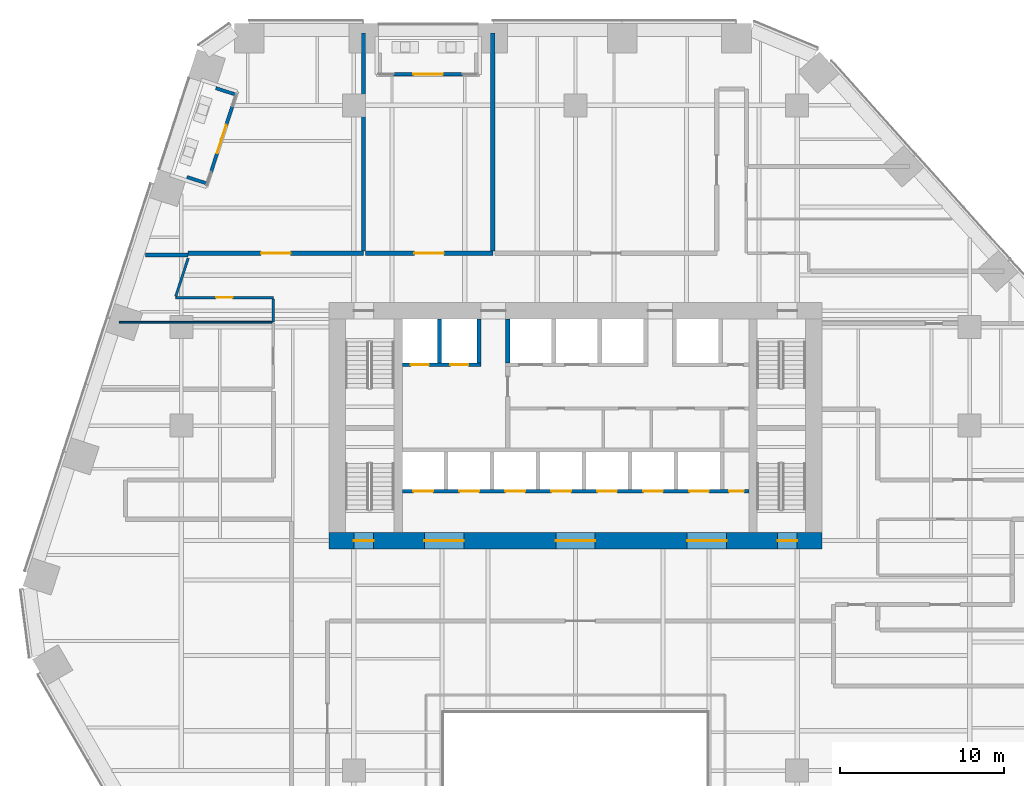
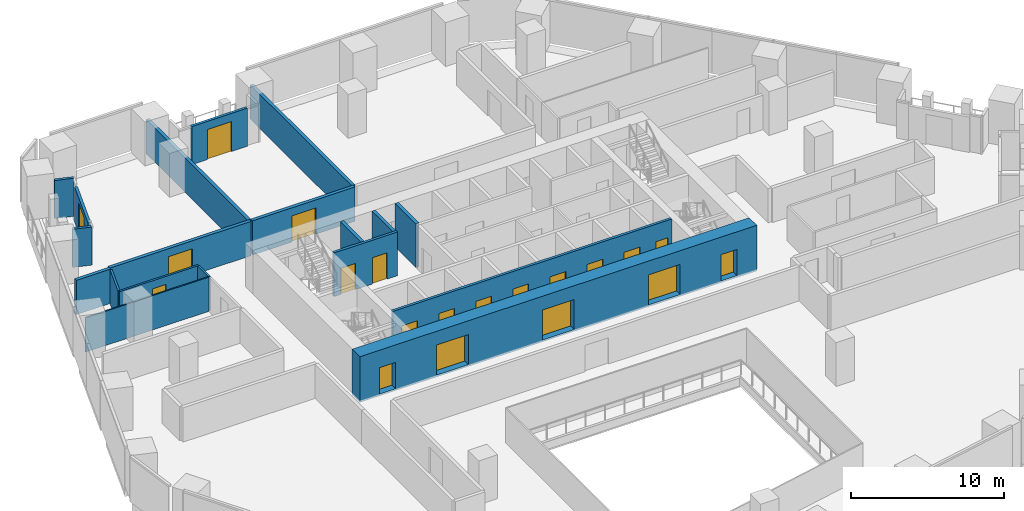
# One storey, part 21 of 28: 20 doors, 19 walls, 20 openings.
"""IFC4 building model written with IfcOpenShell, lengths in metres."""

from ifc_helpers import new_model, si_unit, direction, frame, frame_2d, origin, place, context, subcontext, project, spatial, rectangle, extrude, material, layer, layer_set, type_object, element, fill, save


model = new_model("IFC4")

# Units and contexts
model_context = context("Model", 3, precision=1e-05, world=origin(), true_north=direction((0.0, 1.0)))
body_context = subcontext(model_context, "Body", "Model", "MODEL_VIEW")
ifc_project = project(units=[si_unit("LENGTHUNIT", "METRE"), si_unit("AREAUNIT", "SQUARE_METRE"), si_unit("VOLUMEUNIT", "CUBIC_METRE"), si_unit("PLANEANGLEUNIT", "RADIAN"), si_unit("MASSUNIT", "GRAM", prefix="KILO")], contexts=[model_context])

# Site, building, storey
site_placement = place(None, origin())
site = spatial("IfcSite", under=ifc_project, at=site_placement, CompositionType="ELEMENT")
building_placement = place(site_placement, origin())
building = spatial("IfcBuilding", under=site, at=building_placement, Name="Isthmus Gate Tower", CompositionType="ELEMENT")
storey_placement = place(building_placement, frame((0.0, 0.0, 68.85009765625)))
storey = spatial("IfcBuildingStorey", under=building, at=storey_placement, Name="L15", CompositionType="ELEMENT", Elevation=68.85009765625)

# Wall, opening, door
ifc_material_1 = material(Name="Double-leaf acoustic stud wall, fire-rated", Category="gypsum")
ifc_layer_1 = layer(ifc_material_1, 0.25)
ifc_layer_set_1 = layer_set([ifc_layer_1], Name="ACOUSTIC WALL 250 60 MIN")
wall_type_1 = type_object("IfcWallType", Name="ACOUSTIC WALL 250 60 MIN", PredefinedType="PARTITIONING", material=ifc_layer_set_1)
wall_1_placement = place(storey_placement, frame((-23.5849609375, 18.0, 0.0), z_axis=(0.0, 0.0, 1.0), x_axis=(1.0, 0.0, 0.0)))
wall_1 = element("IfcWall", 1, at=wall_1_placement, inside=storey, type_object=wall_type_1, Name="L15 Acoustic Wall 250 60 Min", PredefinedType="PARTITIONING", context=body_context, shape_type="SweptSolid", body=[
    extrude(rectangle(XDim=10.677978515625, YDim=0.25, at=frame_2d((5.3388671875, 0.0))), origin(), (0.0, 0.0, 1.0), 2.7412109375),
])
opening_1_placement = place(wall_1_placement, frame((4.43896484375, 0.0, 0.0)))
opening_1 = element("IfcOpeningElement", 2, at=opening_1_placement, cuts=wall_1, Name="Opening DT-T1D-01", PredefinedType="OPENING", context=body_context, shape_type="SweptSolid", body=[
    extrude(rectangle(XDim=1.800048828125, YDim=2.10009765625, at=frame_2d((0.89990234375, 1.050048828125))), frame((0.0, 0.135009765625, 0.0), z_axis=(0.0, -1.0, 0.0), x_axis=(1.0, 0.0, 0.0)), (0.0, 0.0, 1.0), 0.27001953125),
])
ifc_material_2 = material(Name="Solid core timber door leaf, fire-rated", Category="wood")
door_type_1 = type_object("IfcDoorType", Name="FIRE DOOR ACOUSTIC ROOM 1800 X 2100 60 MIN", OperationType="DOUBLE_DOOR_DOUBLE_SWING", PredefinedType="DOOR", material=ifc_material_2)
door_1_placement = place(opening_1_placement, origin())
door_1 = element("IfcDoor", 3, at=door_1_placement, inside=storey, type_object=door_type_1, Name="L15 room door", OperationType="DOUBLE_DOOR_DOUBLE_SWING", OverallHeight=2.10009765625, OverallWidth=1.800048828125, PredefinedType="DOOR", context=body_context, shape_type="SweptSolid", body=[
    extrude(rectangle(XDim=1.800048828125, YDim=2.10009765625, at=frame_2d((0.89990234375, 1.050048828125))), frame((0.0, 0.02490234375, 0.0), z_axis=(0.0, -1.0, 0.0), x_axis=(1.0, 0.0, 0.0)), (0.0, 0.0, 1.0), 0.050048828125),
])
fill(opening_1, door_1)

# Walls
wall_2_placement = place(storey_placement, frame((-12.906982421875, 18.125, 0.0), z_axis=(0.0, 0.0, 1.0), x_axis=(0.0, 1.0, 0.0)))
element("IfcWall", 4, at=wall_2_placement, inside=storey, type_object=wall_type_1, Name="L15 Acoustic Wall 250 60 Min", PredefinedType="PARTITIONING", context=body_context, shape_type="SweptSolid", body=[
    extrude(rectangle(XDim=13.27490234375, YDim=0.25, at=frame_2d((6.637451171875, 0.0))), origin(), (0.0, 0.0, 1.0), 2.7412109375),
])
wall_3_placement = place(storey_placement, frame((-26.169921875, 17.883056640625, 0.0), z_axis=(0.0, 0.0, 1.0), x_axis=(1.0, 0.0, 0.0)))
element("IfcWall", 5, at=wall_3_placement, inside=storey, type_object=wall_type_1, Name="L15 Acoustic Wall 250 60 Min", PredefinedType="PARTITIONING", context=body_context, shape_type="SweptSolid", body=[
    extrude(rectangle(XDim=2.5830078125, YDim=0.25, at=frame_2d((1.29150390625, 0.0))), origin(), (0.0, 0.0, 1.0), 2.7412109375),
])

# Wall, opening, door
wall_4_placement = place(storey_placement, frame((-12.781982421875, 18.0, 0.0), z_axis=(0.0, 0.0, 1.0), x_axis=(1.0, 0.0, 0.0)))
wall_4 = element("IfcWall", 6, at=wall_4_placement, inside=storey, type_object=wall_type_1, Name="L15 Acoustic Wall 250 60 Min", PredefinedType="PARTITIONING", context=body_context, shape_type="SweptSolid", body=[
    extrude(rectangle(XDim=7.744873046875, YDim=0.25, at=frame_2d((3.87255859375, 0.0))), origin(), (0.0, 0.0, 1.0), 2.7412109375),
])
opening_2_placement = place(wall_4_placement, frame((2.972412109375, 0.0, 0.0)))
opening_2 = element("IfcOpeningElement", 7, at=opening_2_placement, cuts=wall_4, Name="Opening DT-T1D-02", PredefinedType="OPENING", context=body_context, shape_type="SweptSolid", body=[
    extrude(rectangle(XDim=1.800048828125, YDim=2.10009765625, at=frame_2d((0.89990234375, 1.050048828125))), frame((0.0, 0.135009765625, 0.0), z_axis=(0.0, -1.0, 0.0), x_axis=(1.0, 0.0, 0.0)), (0.0, 0.0, 1.0), 0.27001953125),
])
door_2_placement = place(opening_2_placement, origin())
door_2 = element("IfcDoor", 8, at=door_2_placement, inside=storey, type_object=door_type_1, Name="L15 room door", OperationType="DOUBLE_DOOR_DOUBLE_SWING", OverallHeight=2.10009765625, OverallWidth=1.800048828125, PredefinedType="DOOR", context=body_context, shape_type="SweptSolid", body=[
    extrude(rectangle(XDim=1.800048828125, YDim=2.10009765625, at=frame_2d((0.89990234375, 1.050048828125))), frame((0.0, 0.02490234375, 0.0), z_axis=(0.0, -1.0, 0.0), x_axis=(1.0, 0.0, 0.0)), (0.0, 0.0, 1.0), 0.050048828125),
])
fill(opening_2, door_2)

# Wall
wall_5_placement = place(storey_placement, frame((-5.037109375, 18.125, 0.0), z_axis=(0.0, 0.0, 1.0), x_axis=(0.0, 1.0, 0.0)))
element("IfcWall", 9, at=wall_5_placement, inside=storey, type_object=wall_type_1, Name="L15 Acoustic Wall 250 60 Min", PredefinedType="PARTITIONING", context=body_context, shape_type="SweptSolid", body=[
    extrude(rectangle(XDim=13.27490234375, YDim=0.25, at=frame_2d((6.637451171875, 0.0))), origin(), (0.0, 0.0, 1.0), 2.7412109375),
])

# Wall, opening, door
ifc_material_3 = material(Name="Gypsum board on steel studs, fire-rated", Category="steel")
ifc_layer_2 = layer(ifc_material_3, 0.14990234375)
ifc_layer_set_2 = layer_set([ifc_layer_2], Name="CORRIDOR WALL 150 60 MIN")
wall_type_2 = type_object("IfcWallType", Name="CORRIDOR WALL 150 60 MIN", PredefinedType="PARTITIONING", material=ifc_layer_set_2)
wall_6_placement = place(storey_placement, frame((-18.39990234375, 15.300048828125, 0.0), z_axis=(0.0, 0.0, 1.0), x_axis=(-1.0, 0.0, 0.0)))
wall_6 = element("IfcWall", 10, at=wall_6_placement, inside=storey, type_object=wall_type_2, Name="L15 Corridor Wall 150 60 Min", PredefinedType="PARTITIONING", context=body_context, shape_type="SweptSolid", body=[
    extrude(rectangle(XDim=5.965087890625, YDim=0.14990234375, at=frame_2d((2.982421875, 0.0))), origin(), (0.0, 0.0, 1.0), 2.7412109375),
])
opening_3_placement = place(wall_6_placement, frame((2.482421875, 0.0, 0.0)))
opening_3 = element("IfcOpeningElement", 11, at=opening_3_placement, cuts=wall_6, Name="Opening DT-T1D-06", PredefinedType="OPENING", context=body_context, shape_type="SweptSolid", body=[
    extrude(rectangle(XDim=1.0, YDim=2.10009765625, at=frame_2d((0.5, 1.050048828125))), frame((0.0, 0.0849609375, 0.0), z_axis=(0.0, -1.0, 0.0), x_axis=(1.0, 0.0, 0.0)), (0.0, 0.0, 1.0), 0.169921875),
])
ifc_material_4 = material(Name="Solid core timber door leaf, fire-rated", Category="wood")
door_type_2 = type_object("IfcDoorType", Name="FIRE DOOR ROOM 1000 X 2100 60 MIN", OperationType="SINGLE_SWING_LEFT", PredefinedType="DOOR", material=ifc_material_4)
door_3_placement = place(opening_3_placement, origin())
door_3 = element("IfcDoor", 12, at=door_3_placement, inside=storey, type_object=door_type_2, Name="L15 room door", OperationType="SINGLE_SWING_RIGHT", OverallHeight=2.10009765625, OverallWidth=1.0, PredefinedType="DOOR", context=body_context, shape_type="SweptSolid", body=[
    extrude(rectangle(XDim=1.0, YDim=2.10009765625, at=frame_2d((0.5, 1.050048828125))), frame((0.0, 0.02490234375, 0.0), z_axis=(0.0, -1.0, 0.0), x_axis=(1.0, 0.0, 0.0)), (0.0, 0.0, 1.0), 0.050048828125),
])
fill(opening_3, door_3)

# Walls
wall_7_placement = place(storey_placement, frame((-24.341796875, 15.371337890625, 0.0), z_axis=(0.0, 0.0, 1.0), x_axis=(0.309099599888, 0.951029672171, 0.0)))
element("IfcWall", 13, at=wall_7_placement, inside=storey, type_object=wall_type_2, Name="L15 Corridor Wall 150 60 Min", PredefinedType="PARTITIONING", context=body_context, shape_type="SweptSolid", body=[
    extrude(rectangle(XDim=2.448486328125, YDim=0.14990234375, at=frame_2d((1.22412109375, 0.0))), origin(), (0.0, 0.0, 1.0), 2.7412109375),
])
wall_8_placement = place(storey_placement, frame((-18.39990234375, 13.799072265625, 0.0), z_axis=(0.0, 0.0, 1.0), x_axis=(0.0, 1.0, 0.0)))
element("IfcWall", 14, at=wall_8_placement, inside=storey, type_object=wall_type_2, Name="L15 Corridor Wall 150 60 Min", PredefinedType="PARTITIONING", context=body_context, shape_type="SweptSolid", body=[
    extrude(rectangle(XDim=1.426025390625, YDim=0.14990234375, at=frame_2d((0.712890625, 0.0))), origin(), (0.0, 0.0, 1.0), 2.7412109375),
])

# Wall, opening, door
ifc_material_5 = material(Name="Precast concrete C40/50", Category="concrete")
ifc_layer_3 = layer(ifc_material_5, 0.199951171875)
ifc_layer_set_3 = layer_set([ifc_layer_3], Name="LOGGIA WALL 200")
wall_type_3 = type_object("IfcWallType", Name="LOGGIA WALL 200", PredefinedType="SOLIDWALL", material=ifc_layer_set_3)
wall_9_placement = place(storey_placement, frame((-6.8720703125, 28.89990234375, 0.0), z_axis=(0.0, 0.0, 1.0), x_axis=(-1.0, 0.0, 0.0)))
wall_9 = element("IfcWall", 15, at=wall_9_placement, inside=storey, type_object=wall_type_3, Name="LOGGIA BACK WALL", PredefinedType="SOLIDWALL", context=body_context, shape_type="SweptSolid", body=[
    extrude(rectangle(XDim=4.199951171875, YDim=0.199951171875, at=frame_2d((2.10009765625, 0.0))), origin(), (0.0, 0.0, 1.0), 3.0498046875),
])
opening_4_placement = place(wall_9_placement, frame((1.199951171875, 0.0, 0.0)))
opening_4 = element("IfcOpeningElement", 16, at=opening_4_placement, cuts=wall_9, Name="Opening DE15-01", PredefinedType="OPENING", context=body_context, shape_type="SweptSolid", body=[
    extrude(rectangle(XDim=1.800048828125, YDim=2.39990234375, at=frame_2d((0.89990234375, 1.199951171875))), frame((0.0, 0.10986328125, 0.0), z_axis=(0.0, -1.0, 0.0), x_axis=(1.0, 0.0, 0.0)), (0.0, 0.0, 1.0), 0.219970703125),
])
ifc_material_6 = material(Name="Aluminium, pale champagne anodised, laminated glass", Category="aluminium")
door_type_3 = type_object("IfcDoorType", Name="LOGGIA DOOR SLIDING 1800 X 2400", OperationType="DOUBLE_DOOR_SLIDING", PredefinedType="DOOR", material=ifc_material_6)
door_4_placement = place(opening_4_placement, origin())
door_4 = element("IfcDoor", 17, at=door_4_placement, inside=storey, type_object=door_type_3, Name="DOOR DE15-01", OperationType="SINGLE_SWING_LEFT", OverallHeight=2.39990234375, OverallWidth=1.800048828125, PredefinedType="DOOR", context=body_context, shape_type="SweptSolid", body=[
    extrude(rectangle(XDim=1.800048828125, YDim=2.39990234375, at=frame_2d((0.89990234375, 1.199951171875))), frame((0.0, 0.02490234375, 0.0), z_axis=(0.0, -1.0, 0.0), x_axis=(1.0, 0.0, 0.0)), (0.0, 0.0, 1.0), 0.050048828125),
])
fill(opening_4, door_4)

wall_10_placement = place(storey_placement, frame((-20.898193359375, 26.941650390625, 0.0), z_axis=(0.0, 0.0, 1.0), x_axis=(-0.30901640812, -0.951056706781, 0.0)))
wall_10 = element("IfcWall", 18, at=wall_10_placement, inside=storey, type_object=wall_type_3, Name="LOGGIA BACK WALL", PredefinedType="SOLIDWALL", context=body_context, shape_type="SweptSolid", body=[
    extrude(rectangle(XDim=4.199951171875, YDim=0.199951171875, at=frame_2d((2.10009765625, 0.0))), origin(), (0.0, 0.0, 1.0), 2.820556640625),
])
opening_5_placement = place(wall_10_placement, frame((1.199951171875, 0.0, 0.0)))
opening_5 = element("IfcOpeningElement", 19, at=opening_5_placement, cuts=wall_10, Name="Opening DE15-02", PredefinedType="OPENING", context=body_context, shape_type="SweptSolid", body=[
    extrude(rectangle(XDim=1.800048828125, YDim=2.39990234375, at=frame_2d((0.89990234375, 1.199951171875))), frame((0.0, 0.10986328125, 0.0), z_axis=(0.0, -1.0, 0.0), x_axis=(1.0, 0.0, 0.0)), (0.0, 0.0, 1.0), 0.219970703125),
])
door_5_placement = place(opening_5_placement, origin())
door_5 = element("IfcDoor", 20, at=door_5_placement, inside=storey, type_object=door_type_3, Name="DOOR DE15-02", OperationType="SINGLE_SWING_LEFT", OverallHeight=2.39990234375, OverallWidth=1.800048828125, PredefinedType="DOOR", context=body_context, shape_type="SweptSolid", body=[
    extrude(rectangle(XDim=1.800048828125, YDim=2.39990234375, at=frame_2d((0.89990234375, 1.199951171875))), frame((0.0, 0.02490234375, 0.0), z_axis=(0.0, -1.0, 0.0), x_axis=(1.0, 0.0, 0.0)), (0.0, 0.0, 1.0), 0.050048828125),
])
fill(opening_5, door_5)

# Walls
wall_11_placement = place(storey_placement, frame((-21.904296875, 28.0517578125, 0.0), z_axis=(0.0, 0.0, 1.0), x_axis=(0.951070391529, -0.308974287532, 0.0)))
element("IfcWall", 21, at=wall_11_placement, inside=storey, type_object=wall_type_3, Name="LOGGIA SIDE WALL", PredefinedType="SOLIDWALL", context=body_context, shape_type="SweptSolid", body=[
    extrude(rectangle(XDim=1.283935546875, YDim=0.199951171875, at=frame_2d((0.64208984375, 0.0))), origin(), (0.0, 0.0, 1.0), 3.0498046875),
])
wall_12_placement = place(storey_placement, frame((-23.662353515625, 22.640869140625, 0.0), z_axis=(0.0, 0.0, 1.0), x_axis=(0.951052235057, -0.30903017036, 0.0)))
element("IfcWall", 22, at=wall_12_placement, inside=storey, type_object=wall_type_3, Name="LOGGIA SIDE WALL", PredefinedType="SOLIDWALL", context=body_context, shape_type="SweptSolid", body=[
    extrude(rectangle(XDim=1.28369140625, YDim=0.199951171875, at=frame_2d((0.641845703125, 0.0))), origin(), (0.0, 0.0, 1.0), 3.0498046875),
])

# Wall, openings, doors
ifc_material_7 = material(Name="Concrete f'c 70 MPa", Category="concrete")
ifc_layer_4 = layer(ifc_material_7, 1.0)
ifc_layer_set_4 = layer_set([ifc_layer_4], Name="RC CORE WALL 1000 F'C 70")
wall_type_4 = type_object("IfcWallType", Name="RC CORE WALL 1000 F'C 70", PredefinedType="SOLIDWALL", material=ifc_layer_set_4)
wall_13_placement = place(storey_placement, frame((-15.0, 0.5, -0.150146484375), z_axis=(0.0, 0.0, 1.0), x_axis=(1.0, 0.0, 0.0)))
wall_13 = element("IfcWall", 23, at=wall_13_placement, inside=storey, type_object=wall_type_4, Name="str-corewall-L15-S", PredefinedType="SOLIDWALL", context=body_context, shape_type="SweptSolid", body=[
    extrude(rectangle(XDim=30.0, YDim=1.0, at=frame_2d((15.0, 0.0))), origin(), (0.0, 0.0, 1.0), 3.650146484375),
])
opening_6_placement = place(wall_13_placement, frame((5.800048828125, 0.0, 0.14990234375)))
opening_6 = element("IfcOpeningElement", 24, at=opening_6_placement, cuts=wall_13, Name="Opening DC-A04-08", PredefinedType="OPENING", context=body_context, shape_type="SweptSolid", body=[
    extrude(rectangle(XDim=2.39990234375, YDim=2.39990234375, at=frame_2d((1.199951171875, 1.199951171875))), frame((0.0, 0.510009765625, 0.0), z_axis=(0.0, -1.0, 0.0), x_axis=(1.0, 0.0, 0.0)), (0.0, 0.0, 1.0), 1.02001953125),
])
opening_7_placement = place(wall_13_placement, frame((13.800048828125, 0.0, 0.14990234375)))
opening_7 = element("IfcOpeningElement", 25, at=opening_7_placement, cuts=wall_13, Name="Opening DC-A04-09", PredefinedType="OPENING", context=body_context, shape_type="SweptSolid", body=[
    extrude(rectangle(XDim=2.39990234375, YDim=2.39990234375, at=frame_2d((1.199951171875, 1.199951171875))), frame((0.0, 0.510009765625, 0.0), z_axis=(0.0, -1.0, 0.0), x_axis=(1.0, 0.0, 0.0)), (0.0, 0.0, 1.0), 1.02001953125),
])
opening_8_placement = place(wall_13_placement, frame((21.800048828125, 0.0, 0.14990234375)))
opening_8 = element("IfcOpeningElement", 26, at=opening_8_placement, cuts=wall_13, Name="Opening DC-A04-10", PredefinedType="OPENING", context=body_context, shape_type="SweptSolid", body=[
    extrude(rectangle(XDim=2.39990234375, YDim=2.39990234375, at=frame_2d((1.199951171875, 1.199951171875))), frame((0.0, 0.510009765625, 0.0), z_axis=(0.0, -1.0, 0.0), x_axis=(1.0, 0.0, 0.0)), (0.0, 0.0, 1.0), 1.02001953125),
])
opening_9_placement = place(wall_13_placement, frame((1.5, 0.0, 0.14990234375)))
opening_9 = element("IfcOpeningElement", 27, at=opening_9_placement, cuts=wall_13, Name="Opening DC-A04-15", PredefinedType="OPENING", context=body_context, shape_type="SweptSolid", body=[
    extrude(rectangle(XDim=1.199951171875, YDim=2.10009765625, at=frame_2d((0.60009765625, 1.050048828125))), frame((0.0, 0.510009765625, 0.0), z_axis=(0.0, -1.0, 0.0), x_axis=(1.0, 0.0, 0.0)), (0.0, 0.0, 1.0), 1.02001953125),
])
opening_10_placement = place(wall_13_placement, frame((27.300048828125, 0.0, 0.14990234375)))
opening_10 = element("IfcOpeningElement", 28, at=opening_10_placement, cuts=wall_13, Name="Opening DC-A04-16", PredefinedType="OPENING", context=body_context, shape_type="SweptSolid", body=[
    extrude(rectangle(XDim=1.199951171875, YDim=2.10009765625, at=frame_2d((0.60009765625, 1.050048828125))), frame((0.0, 0.510009765625, 0.0), z_axis=(0.0, -1.0, 0.0), x_axis=(1.0, 0.0, 0.0)), (0.0, 0.0, 1.0), 1.02001953125),
])
ifc_material_8 = material(Name="Laminated safety glass in steel frame, fire-rated", Category="steel")
door_type_4 = type_object("IfcDoorType", Name="LOBBY ENTRANCE FIRE DOOR 2400 X 2400 60 MIN", OperationType="DOUBLE_DOOR_DOUBLE_SWING", PredefinedType="DOOR", material=ifc_material_8)
door_6_placement = place(opening_6_placement, origin())
door_6 = element("IfcDoor", 29, at=door_6_placement, inside=storey, type_object=door_type_4, Name="Lobby Entrance PS-W", OperationType="DOUBLE_DOOR_DOUBLE_SWING", OverallHeight=2.39990234375, OverallWidth=2.39990234375, PredefinedType="DOOR", context=body_context, shape_type="SweptSolid", body=[
    extrude(rectangle(XDim=2.39990234375, YDim=2.39990234375, at=frame_2d((1.199951171875, 1.199951171875))), frame((0.0, 0.02490234375, 0.0), z_axis=(0.0, -1.0, 0.0), x_axis=(1.0, 0.0, 0.0)), (0.0, 0.0, 1.0), 0.050048828125),
])
fill(opening_6, door_6)
door_7_placement = place(opening_7_placement, origin())
door_7 = element("IfcDoor", 30, at=door_7_placement, inside=storey, type_object=door_type_4, Name="Lobby Entrance PS-C", OperationType="DOUBLE_DOOR_DOUBLE_SWING", OverallHeight=2.39990234375, OverallWidth=2.39990234375, PredefinedType="DOOR", context=body_context, shape_type="SweptSolid", body=[
    extrude(rectangle(XDim=2.39990234375, YDim=2.39990234375, at=frame_2d((1.199951171875, 1.199951171875))), frame((0.0, 0.02490234375, 0.0), z_axis=(0.0, -1.0, 0.0), x_axis=(1.0, 0.0, 0.0)), (0.0, 0.0, 1.0), 0.050048828125),
])
fill(opening_7, door_7)
door_8_placement = place(opening_8_placement, origin())
door_8 = element("IfcDoor", 31, at=door_8_placement, inside=storey, type_object=door_type_4, Name="Lobby Entrance PS-E", OperationType="DOUBLE_DOOR_DOUBLE_SWING", OverallHeight=2.39990234375, OverallWidth=2.39990234375, PredefinedType="DOOR", context=body_context, shape_type="SweptSolid", body=[
    extrude(rectangle(XDim=2.39990234375, YDim=2.39990234375, at=frame_2d((1.199951171875, 1.199951171875))), frame((0.0, 0.02490234375, 0.0), z_axis=(0.0, -1.0, 0.0), x_axis=(1.0, 0.0, 0.0)), (0.0, 0.0, 1.0), 0.050048828125),
])
fill(opening_8, door_8)
ifc_material_9 = material(Name="Steel door leaf, fire-rated", Category="steel")
door_type_5 = type_object("IfcDoorType", Name="STAIR FIRE DOOR 1200 X 2100 90 MIN", OperationType="SINGLE_SWING_LEFT", PredefinedType="DOOR", material=ifc_material_9)
door_9_placement = place(opening_9_placement, origin())
door_9 = element("IfcDoor", 32, at=door_9_placement, inside=storey, type_object=door_type_5, Name="Exit Stair 7 Door", OperationType="SINGLE_SWING_LEFT", OverallHeight=2.10009765625, OverallWidth=1.199951171875, PredefinedType="DOOR", context=body_context, shape_type="SweptSolid", body=[
    extrude(rectangle(XDim=1.199951171875, YDim=2.10009765625, at=frame_2d((0.60009765625, 1.050048828125))), frame((0.0, 0.02490234375, 0.0), z_axis=(0.0, -1.0, 0.0), x_axis=(1.0, 0.0, 0.0)), (0.0, 0.0, 1.0), 0.050048828125),
])
fill(opening_9, door_9)
door_10_placement = place(opening_10_placement, origin())
door_10 = element("IfcDoor", 33, at=door_10_placement, inside=storey, type_object=door_type_5, Name="Exit Stair 8 Door", OperationType="SINGLE_SWING_RIGHT", OverallHeight=2.10009765625, OverallWidth=1.199951171875, PredefinedType="DOOR", context=body_context, shape_type="SweptSolid", body=[
    extrude(rectangle(XDim=1.199951171875, YDim=2.10009765625, at=frame_2d((0.60009765625, 1.050048828125))), frame((0.0, 0.02490234375, 0.0), z_axis=(0.0, -1.0, 0.0), x_axis=(1.0, 0.0, 0.0)), (0.0, 0.0, 1.0), 0.050048828125),
])
fill(opening_10, door_10)

# Wall
ifc_material_10 = material(Name="Gypsum board on steel studs, fire-rated", Category="steel")
ifc_layer_5 = layer(ifc_material_10, 0.10009765625)
ifc_layer_set_5 = layer_set([ifc_layer_5], Name="ROOM PARTITION 100 30 MIN")
wall_type_5 = type_object("IfcWallType", Name="ROOM PARTITION 100 30 MIN", PredefinedType="PARTITIONING", material=ifc_layer_set_5)
wall_14_placement = place(storey_placement, frame((-27.797119140625, 13.799072265625, 0.0), z_axis=(0.0, 0.0, 1.0), x_axis=(1.0, 0.0, 0.0)))
element("IfcWall", 34, at=wall_14_placement, inside=storey, type_object=wall_type_5, Name="L15 Room Partition 100 30 Min", PredefinedType="PARTITIONING", context=body_context, shape_type="SweptSolid", body=[
    extrude(rectangle(XDim=9.322021484375, YDim=0.10009765625, at=frame_2d((4.6611328125, 0.0))), origin(), (0.0, 0.0, 1.0), 2.7412109375),
])

# Wall, openings, doors
ifc_material_11 = material(Name="Fire-rated blockwork masonry, 15 MPa", Category="masonry")
ifc_layer_6 = layer(ifc_material_11, 0.199951171875)
ifc_layer_set_6 = layer_set([ifc_layer_6], Name="SHAFT FRONT WALL 200 120 MIN")
wall_type_6 = type_object("IfcWallType", Name="SHAFT FRONT WALL 200 120 MIN", PredefinedType="PARTITIONING", material=ifc_layer_set_6)
wall_15_placement = place(storey_placement, frame((-10.550048828125, 3.5, 0.0), z_axis=(0.0, 0.0, 1.0), x_axis=(1.0, 0.0, 0.0)))
wall_15 = element("IfcWall", 35, at=wall_15_placement, inside=storey, type_object=wall_type_6, Name="L15 SHAFT FRONT WALL 200 120 MIN", PredefinedType="PARTITIONING", context=body_context, shape_type="SweptSolid", body=[
    extrude(rectangle(XDim=21.10009765625, YDim=0.199951171875, at=frame_2d((10.550048828125, 0.0))), origin(), (0.0, 0.0, 1.0), 3.5),
])
opening_11_placement = place(wall_15_placement, frame((0.675048828125, 0.0, 0.0)))
opening_11 = element("IfcOpeningElement", 36, at=opening_11_placement, cuts=wall_15, Name="Opening LD-LA1", PredefinedType="OPENING", context=body_context, shape_type="SweptSolid", body=[
    extrude(rectangle(XDim=1.199951171875, YDim=2.10009765625, at=frame_2d((0.60009765625, 1.050048828125))), frame((0.0, 0.10986328125, 0.0), z_axis=(0.0, -1.0, 0.0), x_axis=(1.0, 0.0, 0.0)), (0.0, 0.0, 1.0), 0.219970703125),
])
opening_12_placement = place(wall_15_placement, frame((3.47509765625, 0.0, 0.0)))
opening_12 = element("IfcOpeningElement", 37, at=opening_12_placement, cuts=wall_15, Name="Opening LD-LA2", PredefinedType="OPENING", context=body_context, shape_type="SweptSolid", body=[
    extrude(rectangle(XDim=1.199951171875, YDim=2.10009765625, at=frame_2d((0.60009765625, 1.050048828125))), frame((0.0, 0.10986328125, 0.0), z_axis=(0.0, -1.0, 0.0), x_axis=(1.0, 0.0, 0.0)), (0.0, 0.0, 1.0), 0.219970703125),
])
opening_13_placement = place(wall_15_placement, frame((6.27490234375, 0.0, 0.0)))
opening_13 = element("IfcOpeningElement", 38, at=opening_13_placement, cuts=wall_15, Name="Opening LD-LA3", PredefinedType="OPENING", context=body_context, shape_type="SweptSolid", body=[
    extrude(rectangle(XDim=1.199951171875, YDim=2.10009765625, at=frame_2d((0.60009765625, 1.050048828125))), frame((0.0, 0.10986328125, 0.0), z_axis=(0.0, -1.0, 0.0), x_axis=(1.0, 0.0, 0.0)), (0.0, 0.0, 1.0), 0.219970703125),
])
opening_14_placement = place(wall_15_placement, frame((9.074951171875, 0.0, 0.0)))
opening_14 = element("IfcOpeningElement", 39, at=opening_14_placement, cuts=wall_15, Name="Opening LD-LA4", PredefinedType="OPENING", context=body_context, shape_type="SweptSolid", body=[
    extrude(rectangle(XDim=1.199951171875, YDim=2.10009765625, at=frame_2d((0.60009765625, 1.050048828125))), frame((0.0, 0.10986328125, 0.0), z_axis=(0.0, -1.0, 0.0), x_axis=(1.0, 0.0, 0.0)), (0.0, 0.0, 1.0), 0.219970703125),
])
opening_15_placement = place(wall_15_placement, frame((11.875, 0.0, 0.0)))
opening_15 = element("IfcOpeningElement", 40, at=opening_15_placement, cuts=wall_15, Name="Opening LD-LA5", PredefinedType="OPENING", context=body_context, shape_type="SweptSolid", body=[
    extrude(rectangle(XDim=1.199951171875, YDim=2.10009765625, at=frame_2d((0.60009765625, 1.050048828125))), frame((0.0, 0.10986328125, 0.0), z_axis=(0.0, -1.0, 0.0), x_axis=(1.0, 0.0, 0.0)), (0.0, 0.0, 1.0), 0.219970703125),
])
opening_16_placement = place(wall_15_placement, frame((14.675048828125, 0.0, 0.0)))
opening_16 = element("IfcOpeningElement", 41, at=opening_16_placement, cuts=wall_15, Name="Opening LD-LA6", PredefinedType="OPENING", context=body_context, shape_type="SweptSolid", body=[
    extrude(rectangle(XDim=1.199951171875, YDim=2.10009765625, at=frame_2d((0.60009765625, 1.050048828125))), frame((0.0, 0.10986328125, 0.0), z_axis=(0.0, -1.0, 0.0), x_axis=(1.0, 0.0, 0.0)), (0.0, 0.0, 1.0), 0.219970703125),
])
opening_17_placement = place(wall_15_placement, frame((17.47509765625, 0.0, 0.0)))
opening_17 = element("IfcOpeningElement", 42, at=opening_17_placement, cuts=wall_15, Name="Opening LD-LA7", PredefinedType="OPENING", context=body_context, shape_type="SweptSolid", body=[
    extrude(rectangle(XDim=1.199951171875, YDim=2.10009765625, at=frame_2d((0.60009765625, 1.050048828125))), frame((0.0, 0.10986328125, 0.0), z_axis=(0.0, -1.0, 0.0), x_axis=(1.0, 0.0, 0.0)), (0.0, 0.0, 1.0), 0.219970703125),
])
opening_18_placement = place(wall_15_placement, frame((19.89990234375, 0.0, 0.0)))
opening_18 = element("IfcOpeningElement", 43, at=opening_18_placement, cuts=wall_15, Name="Opening DC-A04-02", PredefinedType="OPENING", context=body_context, shape_type="SweptSolid", body=[
    extrude(rectangle(XDim=0.89990234375, YDim=2.10009765625, at=frame_2d((0.449951171875, 1.050048828125))), frame((0.0, 0.10986328125, 0.0), z_axis=(0.0, -1.0, 0.0), x_axis=(1.0, 0.0, 0.0)), (0.0, 0.0, 1.0), 0.219970703125),
])
ifc_material_12 = material(Name="Stainless steel sliding leaf", Category="steel")
door_type_6 = type_object("IfcDoorType", Name="LIFT LANDING FIRE DOOR 1200 X 2100 90 MIN", OperationType="DOUBLE_DOOR_SLIDING", PredefinedType="DOOR", material=ifc_material_12)
door_11_placement = place(opening_11_placement, origin())
door_11 = element("IfcDoor", 44, at=door_11_placement, inside=storey, type_object=door_type_6, Name="Lift Landing Door LA1", OperationType="DOUBLE_DOOR_SLIDING", OverallHeight=2.10009765625, OverallWidth=1.199951171875, PredefinedType="DOOR", context=body_context, shape_type="SweptSolid", body=[
    extrude(rectangle(XDim=1.199951171875, YDim=2.10009765625, at=frame_2d((0.60009765625, 1.050048828125))), frame((0.0, 0.02490234375, 0.0), z_axis=(0.0, -1.0, 0.0), x_axis=(1.0, 0.0, 0.0)), (0.0, 0.0, 1.0), 0.050048828125),
])
fill(opening_11, door_11)
door_12_placement = place(opening_12_placement, origin())
door_12 = element("IfcDoor", 45, at=door_12_placement, inside=storey, type_object=door_type_6, Name="Lift Landing Door LA2", OperationType="DOUBLE_DOOR_SLIDING", OverallHeight=2.10009765625, OverallWidth=1.199951171875, PredefinedType="DOOR", context=body_context, shape_type="SweptSolid", body=[
    extrude(rectangle(XDim=1.199951171875, YDim=2.10009765625, at=frame_2d((0.60009765625, 1.050048828125))), frame((0.0, 0.02490234375, 0.0), z_axis=(0.0, -1.0, 0.0), x_axis=(1.0, 0.0, 0.0)), (0.0, 0.0, 1.0), 0.050048828125),
])
fill(opening_12, door_12)
door_13_placement = place(opening_13_placement, origin())
door_13 = element("IfcDoor", 46, at=door_13_placement, inside=storey, type_object=door_type_6, Name="Lift Landing Door LA3", OperationType="DOUBLE_DOOR_SLIDING", OverallHeight=2.10009765625, OverallWidth=1.199951171875, PredefinedType="DOOR", context=body_context, shape_type="SweptSolid", body=[
    extrude(rectangle(XDim=1.199951171875, YDim=2.10009765625, at=frame_2d((0.60009765625, 1.050048828125))), frame((0.0, 0.02490234375, 0.0), z_axis=(0.0, -1.0, 0.0), x_axis=(1.0, 0.0, 0.0)), (0.0, 0.0, 1.0), 0.050048828125),
])
fill(opening_13, door_13)
door_14_placement = place(opening_14_placement, origin())
door_14 = element("IfcDoor", 47, at=door_14_placement, inside=storey, type_object=door_type_6, Name="Lift Landing Door LA4", OperationType="DOUBLE_DOOR_SLIDING", OverallHeight=2.10009765625, OverallWidth=1.199951171875, PredefinedType="DOOR", context=body_context, shape_type="SweptSolid", body=[
    extrude(rectangle(XDim=1.199951171875, YDim=2.10009765625, at=frame_2d((0.60009765625, 1.050048828125))), frame((0.0, 0.02490234375, 0.0), z_axis=(0.0, -1.0, 0.0), x_axis=(1.0, 0.0, 0.0)), (0.0, 0.0, 1.0), 0.050048828125),
])
fill(opening_14, door_14)
door_15_placement = place(opening_15_placement, origin())
door_15 = element("IfcDoor", 48, at=door_15_placement, inside=storey, type_object=door_type_6, Name="Lift Landing Door LA5", OperationType="DOUBLE_DOOR_SLIDING", OverallHeight=2.10009765625, OverallWidth=1.199951171875, PredefinedType="DOOR", context=body_context, shape_type="SweptSolid", body=[
    extrude(rectangle(XDim=1.199951171875, YDim=2.10009765625, at=frame_2d((0.60009765625, 1.050048828125))), frame((0.0, 0.02490234375, 0.0), z_axis=(0.0, -1.0, 0.0), x_axis=(1.0, 0.0, 0.0)), (0.0, 0.0, 1.0), 0.050048828125),
])
fill(opening_15, door_15)
door_16_placement = place(opening_16_placement, origin())
door_16 = element("IfcDoor", 49, at=door_16_placement, inside=storey, type_object=door_type_6, Name="Lift Landing Door LA6", OperationType="DOUBLE_DOOR_SLIDING", OverallHeight=2.10009765625, OverallWidth=1.199951171875, PredefinedType="DOOR", context=body_context, shape_type="SweptSolid", body=[
    extrude(rectangle(XDim=1.199951171875, YDim=2.10009765625, at=frame_2d((0.60009765625, 1.050048828125))), frame((0.0, 0.02490234375, 0.0), z_axis=(0.0, -1.0, 0.0), x_axis=(1.0, 0.0, 0.0)), (0.0, 0.0, 1.0), 0.050048828125),
])
fill(opening_16, door_16)
door_17_placement = place(opening_17_placement, origin())
door_17 = element("IfcDoor", 50, at=door_17_placement, inside=storey, type_object=door_type_6, Name="Lift Landing Door LA7", OperationType="DOUBLE_DOOR_SLIDING", OverallHeight=2.10009765625, OverallWidth=1.199951171875, PredefinedType="DOOR", context=body_context, shape_type="SweptSolid", body=[
    extrude(rectangle(XDim=1.199951171875, YDim=2.10009765625, at=frame_2d((0.60009765625, 1.050048828125))), frame((0.0, 0.02490234375, 0.0), z_axis=(0.0, -1.0, 0.0), x_axis=(1.0, 0.0, 0.0)), (0.0, 0.0, 1.0), 0.050048828125),
])
fill(opening_17, door_17)
ifc_material_13 = material(Name="Steel door leaf, fire-rated", Category="steel")
door_type_7 = type_object("IfcDoorType", Name="RISER FIRE DOOR 900 X 2100 90 MIN", OperationType="SINGLE_SWING_LEFT", PredefinedType="DOOR", material=ifc_material_13)
door_18_placement = place(opening_18_placement, origin())
door_18 = element("IfcDoor", 51, at=door_18_placement, inside=storey, type_object=door_type_7, Name="Riser Door", OperationType="SINGLE_SWING_RIGHT", OverallHeight=2.10009765625, OverallWidth=0.89990234375, PredefinedType="DOOR", context=body_context, shape_type="SweptSolid", body=[
    extrude(rectangle(XDim=0.89990234375, YDim=2.10009765625, at=frame_2d((0.449951171875, 1.050048828125))), frame((0.0, 0.02490234375, 0.0), z_axis=(0.0, -1.0, 0.0), x_axis=(1.0, 0.0, 0.0)), (0.0, 0.0, 1.0), 0.050048828125),
])
fill(opening_18, door_18)

wall_16_placement = place(storey_placement, frame((-10.550048828125, 11.199951171875, 0.0), z_axis=(0.0, 0.0, 1.0), x_axis=(1.0, 0.0, 0.0)))
wall_16 = element("IfcWall", 52, at=wall_16_placement, inside=storey, type_object=wall_type_6, Name="L15 SHAFT FRONT WALL 200 120 MIN", PredefinedType="PARTITIONING", context=body_context, shape_type="SweptSolid", body=[
    extrude(rectangle(XDim=4.800048828125, YDim=0.199951171875, at=frame_2d((2.39990234375, 0.0))), origin(), (0.0, 0.0, 1.0), 3.5),
])
opening_19_placement = place(wall_16_placement, frame((0.52490234375, 0.0, 0.0)))
opening_19 = element("IfcOpeningElement", 53, at=opening_19_placement, cuts=wall_16, Name="Opening LD-LF1", PredefinedType="OPENING", context=body_context, shape_type="SweptSolid", body=[
    extrude(rectangle(XDim=1.10009765625, YDim=2.10009765625, at=frame_2d((0.550048828125, 1.050048828125))), frame((0.0, 0.10986328125, 0.0), z_axis=(0.0, -1.0, 0.0), x_axis=(1.0, 0.0, 0.0)), (0.0, 0.0, 1.0), 0.219970703125),
])
opening_20_placement = place(wall_16_placement, frame((2.925048828125, 0.0, 0.0)))
opening_20 = element("IfcOpeningElement", 54, at=opening_20_placement, cuts=wall_16, Name="Opening LD-LF2", PredefinedType="OPENING", context=body_context, shape_type="SweptSolid", body=[
    extrude(rectangle(XDim=1.10009765625, YDim=2.10009765625, at=frame_2d((0.550048828125, 1.050048828125))), frame((0.0, 0.10986328125, 0.0), z_axis=(0.0, -1.0, 0.0), x_axis=(1.0, 0.0, 0.0)), (0.0, 0.0, 1.0), 0.219970703125),
])
ifc_material_14 = material(Name="Stainless steel sliding leaf", Category="steel")
door_type_8 = type_object("IfcDoorType", Name="LIFT LANDING FIRE DOOR 1100 X 2100 90 MIN", OperationType="DOUBLE_DOOR_SLIDING", PredefinedType="DOOR", material=ifc_material_14)
door_19_placement = place(opening_19_placement, origin())
door_19 = element("IfcDoor", 55, at=door_19_placement, inside=storey, type_object=door_type_8, Name="Lift Landing Door LF1", OperationType="DOUBLE_DOOR_SLIDING", OverallHeight=2.10009765625, OverallWidth=1.10009765625, PredefinedType="DOOR", context=body_context, shape_type="SweptSolid", body=[
    extrude(rectangle(XDim=1.10009765625, YDim=2.10009765625, at=frame_2d((0.550048828125, 1.050048828125))), frame((0.0, 0.02490234375, 0.0), z_axis=(0.0, -1.0, 0.0), x_axis=(1.0, 0.0, 0.0)), (0.0, 0.0, 1.0), 0.050048828125),
])
fill(opening_19, door_19)
door_20_placement = place(opening_20_placement, origin())
door_20 = element("IfcDoor", 56, at=door_20_placement, inside=storey, type_object=door_type_8, Name="Lift Landing Door LF2", OperationType="DOUBLE_DOOR_SLIDING", OverallHeight=2.10009765625, OverallWidth=1.10009765625, PredefinedType="DOOR", context=body_context, shape_type="SweptSolid", body=[
    extrude(rectangle(XDim=1.10009765625, YDim=2.10009765625, at=frame_2d((0.550048828125, 1.050048828125))), frame((0.0, 0.02490234375, 0.0), z_axis=(0.0, -1.0, 0.0), x_axis=(1.0, 0.0, 0.0)), (0.0, 0.0, 1.0), 0.050048828125),
])
fill(opening_20, door_20)

# Walls
ifc_material_15 = material(Name="Fire-rated blockwork masonry, 15 MPa", Category="masonry")
ifc_layer_7 = layer(ifc_material_15, 0.25)
ifc_layer_set_7 = layer_set([ifc_layer_7], Name="SHAFT WALL 250 120 MIN")
wall_type_7 = type_object("IfcWallType", Name="SHAFT WALL 250 120 MIN", PredefinedType="PARTITIONING", material=ifc_layer_set_7)
for number, where, z_axis, x_axis, name in (
    (57, (-8.27490234375, 11.300048828125, 0.0), (0.0, 0.0, 1.0), (0.0, 1.0, 0.0), "L15 SHAFT WALL 250 120 MIN"),
    (58, (-5.875, 11.300048828125, 0.0), (0.0, 0.0, 1.0), (0.0, 1.0, 0.0), "L15 SHAFT WALL 250 120 MIN"),
    (59, (-4.125, 11.300048828125, 0.0), (0.0, 0.0, 1.0), (0.0, 1.0, 0.0), "L15 SHAFT WALL 250 120 MIN"),
):
    element("IfcWall", number, at=place(storey_placement, frame(where, z_axis=z_axis, x_axis=x_axis)), inside=storey, type_object=wall_type_7, Name=name, PredefinedType="PARTITIONING", context=body_context, shape_type="SweptSolid", body=[
        extrude(rectangle(XDim=2.699951171875, YDim=0.25, at=frame_2d((1.35009765625, 0.0))), origin(), (0.0, 0.0, 1.0), 3.5),
    ])

save(model, "model.ifc")
